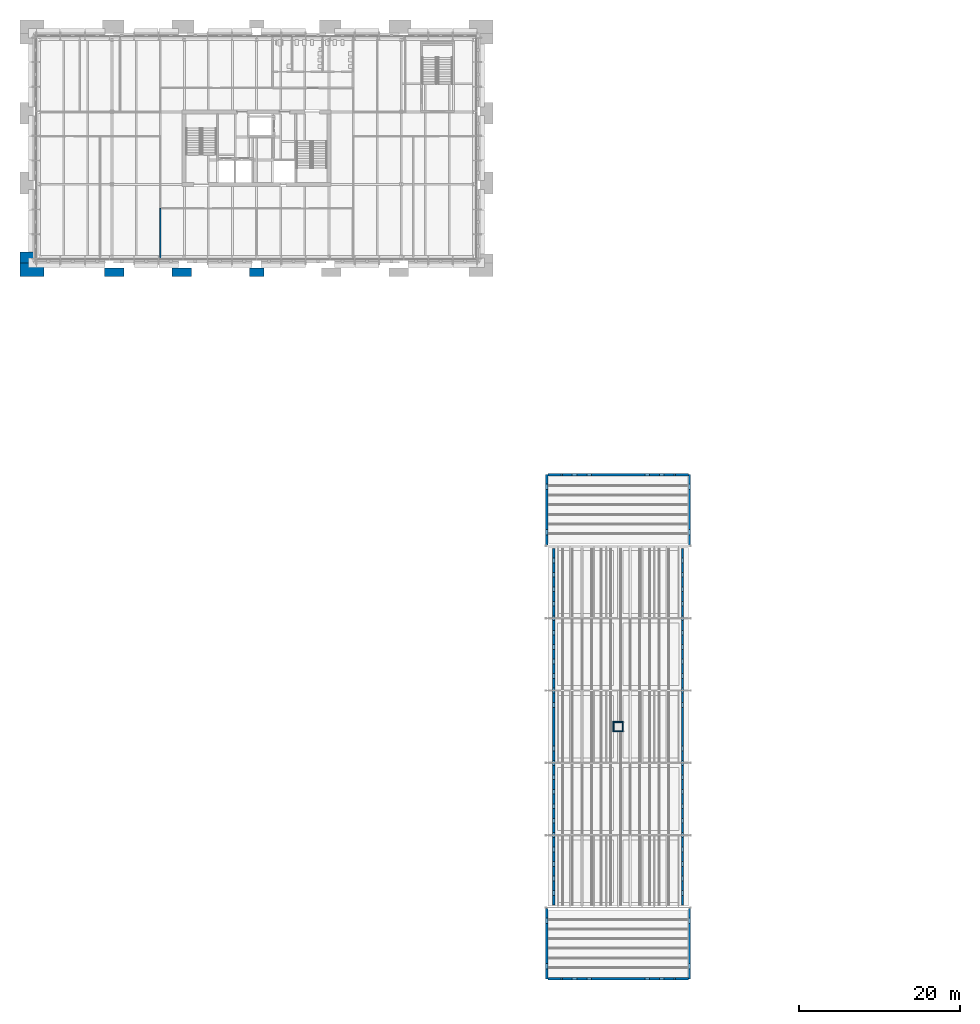
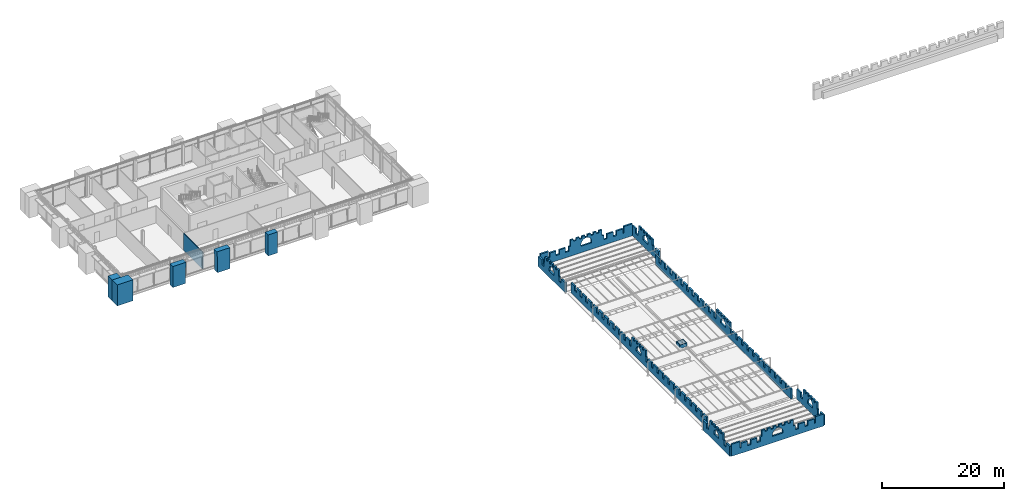
# One storey, part 19 of 37: 18 walls.
"""IFC4 building model written with IfcOpenShell, lengths in metres."""

from ifc_helpers import new_model, si_unit, direction, frame, frame_2d, origin, place, context, subcontext, project, spatial, polyline, rectangle, outline, extrude, material, layer, layer_set, type_object, element, save


model = new_model("IFC4")

# Units and contexts
model_context = context("Model", 3, precision=1e-05, world=origin(), true_north=direction((0.0, 1.0)))
body_context = subcontext(model_context, "Body", "Model", "MODEL_VIEW")
ifc_project = project(units=[si_unit("LENGTHUNIT", "METRE"), si_unit("AREAUNIT", "SQUARE_METRE"), si_unit("VOLUMEUNIT", "CUBIC_METRE"), si_unit("PLANEANGLEUNIT", "RADIAN"), si_unit("MASSUNIT", "GRAM", prefix="KILO")], contexts=[model_context])

# Site, building, storey
site_placement = place(None, origin())
site = spatial("IfcSite", under=ifc_project, at=site_placement, CompositionType="ELEMENT")
building_placement = place(site_placement, origin())
building = spatial("IfcBuilding", under=site, at=building_placement, Name="Baradari Gate Terminus", CompositionType="ELEMENT")
storey_placement = place(building_placement, frame((0.0, 0.0, 24.300048828125)))
storey = spatial("IfcBuildingStorey", under=building, at=storey_placement, Name="L05", CompositionType="ELEMENT", Elevation=24.300048828125)

# Walls
ifc_material_1 = material(Name="Concrete C32/40 precast", Category="concrete")
ifc_layer_1 = layer(ifc_material_1, 0.300048828125)
ifc_layer_set_1 = layer_set([ifc_layer_1], Name="Concrete C32/40 precast")
wall_type_1 = type_object("IfcWallType", Name="Parapet PW-7 300x3200 gate crown", PredefinedType="PARAPET", material=ifc_layer_set_1)
wall_1_placement = place(storey_placement, frame((72.27490234375, 89.875, 0.0), z_axis=(0.0, 0.0, 1.0), x_axis=(1.0, 0.0, 0.0)))
element("IfcWall", 1, at=wall_1_placement, inside=storey, type_object=wall_type_1, Name="GN roof parapet PR-GN1 1 1", PredefinedType="PARAPET", context=body_context, shape_type="SweptSolid", body=[
    extrude(outline(polyline([(5.416748046875, 2.0), (5.416748046875, 1.099853515625), (4.81103515625, 1.099853515625), (4.81103515625, 2.0), (3.611083984375, 2.0), (3.611083984375, 1.099853515625), (3.005615234375, 1.099853515625), (3.005615234375, 2.0), (1.8056640625, 2.0), (1.8056640625, 1.099853515625), (1.60009765625, 1.099853515625), (1.60009765625, 2.39990234375), (0.0, 2.39990234375), (0.0, 0.0), (17.449951171875, 0.0), (17.449951171875, 2.39990234375), (15.85009765625, 2.39990234375), (15.85009765625, 1.099853515625), (15.644287109375, 1.099853515625), (15.644287109375, 2.0), (14.4443359375, 2.0), (14.4443359375, 1.099853515625), (13.8388671875, 1.099853515625), (13.8388671875, 2.0), (12.638916015625, 2.0), (12.638916015625, 1.099853515625), (12.033203125, 1.099853515625), (12.033203125, 2.0), (11.72509765625, 2.0), (11.72509765625, 3.199951171875), (11.125, 3.199951171875), (11.125, 2.800048828125), (10.64501953125, 2.800048828125), (10.64501953125, 3.199951171875), (10.044921875, 3.199951171875), (10.044921875, 2.800048828125), (9.56494140625, 2.800048828125), (9.56494140625, 3.199951171875), (8.965087890625, 3.199951171875), (8.965087890625, 2.800048828125), (8.485107421875, 2.800048828125), (8.485107421875, 3.199951171875), (7.885009765625, 3.199951171875), (7.885009765625, 2.800048828125), (7.405029296875, 2.800048828125), (7.405029296875, 3.199951171875), (6.804931640625, 3.199951171875), (6.804931640625, 2.800048828125), (6.324951171875, 2.800048828125), (6.324951171875, 3.199951171875), (5.72509765625, 3.199951171875), (5.72509765625, 2.0), (5.416748046875, 2.0)]), holes=[polyline([(7.72509765625, 1.300048828125), (7.72509765625, 1.599853515625), (7.7333984375, 1.7353515625), (7.75830078125, 1.868896484375), (7.79931640625, 1.99853515625), (7.85595703125, 2.121826171875), (7.927490234375, 2.2373046875), (8.012451171875, 2.34326171875), (8.109619140625, 2.43798828125), (8.218017578125, 2.52001953125), (8.33544921875, 2.588134765625), (8.460205078125, 2.641357421875), (8.5908203125, 2.6787109375), (8.72509765625, 2.699951171875), (8.859130859375, 2.6787109375), (8.98974609375, 2.641357421875), (9.114501953125, 2.588134765625), (9.232177734375, 2.52001953125), (9.34033203125, 2.43798828125), (9.4375, 2.34326171875), (9.522705078125, 2.2373046875), (9.593994140625, 2.121826171875), (9.650634765625, 1.99853515625), (9.691650390625, 1.868896484375), (9.716796875, 1.7353515625), (9.72509765625, 1.599853515625), (9.72509765625, 1.300048828125), (7.72509765625, 1.300048828125)])]), frame((0.0, 0.14990234375, 0.0), z_axis=(0.0, -1.0, 0.0), x_axis=(1.0, 0.0, 0.0)), (0.0, 0.0, 1.0), 0.300048828125),
])
wall_2_placement = place(storey_placement, frame((72.125, 81.125, 0.0), z_axis=(0.0, 0.0, 1.0), x_axis=(0.0, 1.0, 0.0)))
element("IfcWall", 2, at=wall_2_placement, inside=storey, type_object=wall_type_1, Name="GN roof parapet PR-GN2 1 1", PredefinedType="PARAPET", context=body_context, shape_type="SweptSolid", body=[
    extrude(outline(polyline([(1.887451171875, 2.0), (1.887451171875, 1.099853515625), (1.199951171875, 1.099853515625), (1.199951171875, 2.0), (0.0, 2.0), (0.0, 0.0), (8.75, 0.0), (8.75, 2.0), (7.550048828125, 2.0), (7.550048828125, 1.099853515625), (6.862548828125, 1.099853515625), (6.862548828125, 2.0), (6.625, 2.0), (6.625, 3.199951171875), (6.02490234375, 3.199951171875), (6.02490234375, 2.800048828125), (5.64990234375, 2.800048828125), (5.64990234375, 3.199951171875), (5.050048828125, 3.199951171875), (5.050048828125, 2.800048828125), (4.675048828125, 2.800048828125), (4.675048828125, 3.199951171875), (4.074951171875, 3.199951171875), (4.074951171875, 2.800048828125), (3.699951171875, 2.800048828125), (3.699951171875, 3.199951171875), (3.10009765625, 3.199951171875), (3.10009765625, 2.800048828125), (2.72509765625, 2.800048828125), (2.72509765625, 3.199951171875), (2.125, 3.199951171875), (2.125, 2.0), (1.887451171875, 2.0)]), holes=[polyline([(3.574951171875, 1.300048828125), (3.574951171875, 1.599853515625), (3.58154296875, 1.71484375), (3.600830078125, 1.82861328125), (3.6328125, 1.939208984375), (3.677001953125, 2.045654296875), (3.73291015625, 2.146240234375), (3.799560546875, 2.240234375), (3.87646484375, 2.326171875), (3.962646484375, 2.402587890625), (4.056640625, 2.46923828125), (4.15771484375, 2.524658203125), (4.26416015625, 2.568359375), (4.375, 2.599853515625), (4.48583984375, 2.568359375), (4.59228515625, 2.524658203125), (4.693359375, 2.46923828125), (4.787353515625, 2.402587890625), (4.87353515625, 2.326171875), (4.950439453125, 2.240234375), (5.01708984375, 2.146240234375), (5.072998046875, 2.045654296875), (5.1171875, 1.939208984375), (5.149169921875, 1.82861328125), (5.16845703125, 1.71484375), (5.175048828125, 1.599853515625), (5.175048828125, 1.300048828125), (3.574951171875, 1.300048828125)])]), frame((0.0, 0.14990234375, 0.0), z_axis=(0.0, -1.0, 0.0), x_axis=(1.0, 0.0, 0.0)), (0.0, 0.0, 1.0), 0.300048828125),
])
wall_3_placement = place(storey_placement, frame((89.875, 81.125, 0.0), z_axis=(0.0, 0.0, 1.0), x_axis=(0.0, 1.0, 0.0)))
element("IfcWall", 3, at=wall_3_placement, inside=storey, type_object=wall_type_1, Name="GN roof parapet PR-GN3 1 1", PredefinedType="PARAPET", context=body_context, shape_type="SweptSolid", body=[
    extrude(outline(polyline([(1.887451171875, 2.0), (1.887451171875, 1.099853515625), (1.199951171875, 1.099853515625), (1.199951171875, 2.0), (0.0, 2.0), (0.0, 0.0), (8.75, 0.0), (8.75, 2.0), (7.550048828125, 2.0), (7.550048828125, 1.099853515625), (6.862548828125, 1.099853515625), (6.862548828125, 2.0), (6.625, 2.0), (6.625, 3.199951171875), (6.02490234375, 3.199951171875), (6.02490234375, 2.800048828125), (5.64990234375, 2.800048828125), (5.64990234375, 3.199951171875), (5.050048828125, 3.199951171875), (5.050048828125, 2.800048828125), (4.675048828125, 2.800048828125), (4.675048828125, 3.199951171875), (4.074951171875, 3.199951171875), (4.074951171875, 2.800048828125), (3.699951171875, 2.800048828125), (3.699951171875, 3.199951171875), (3.10009765625, 3.199951171875), (3.10009765625, 2.800048828125), (2.72509765625, 2.800048828125), (2.72509765625, 3.199951171875), (2.125, 3.199951171875), (2.125, 2.0), (1.887451171875, 2.0)]), holes=[polyline([(3.574951171875, 1.300048828125), (3.574951171875, 1.599853515625), (3.58154296875, 1.71484375), (3.600830078125, 1.82861328125), (3.6328125, 1.939208984375), (3.677001953125, 2.045654296875), (3.73291015625, 2.146240234375), (3.799560546875, 2.240234375), (3.87646484375, 2.326171875), (3.962646484375, 2.402587890625), (4.056640625, 2.46923828125), (4.15771484375, 2.524658203125), (4.26416015625, 2.568359375), (4.375, 2.599853515625), (4.48583984375, 2.568359375), (4.59228515625, 2.524658203125), (4.693359375, 2.46923828125), (4.787353515625, 2.402587890625), (4.87353515625, 2.326171875), (4.950439453125, 2.240234375), (5.01708984375, 2.146240234375), (5.072998046875, 2.045654296875), (5.1171875, 1.939208984375), (5.149169921875, 1.82861328125), (5.16845703125, 1.71484375), (5.175048828125, 1.599853515625), (5.175048828125, 1.300048828125), (3.574951171875, 1.300048828125)])]), frame((0.0, 0.14990234375, 0.0), z_axis=(0.0, -1.0, 0.0), x_axis=(1.0, 0.0, 0.0)), (0.0, 0.0, 1.0), 0.300048828125),
])
wall_4_placement = place(storey_placement, frame((72.27490234375, 27.125, 0.0), z_axis=(0.0, 0.0, 1.0), x_axis=(1.0, 0.0, 0.0)))
element("IfcWall", 4, at=wall_4_placement, inside=storey, type_object=wall_type_1, Name="GS roof parapet PR-GS1 1 1", PredefinedType="PARAPET", context=body_context, shape_type="SweptSolid", body=[
    extrude(outline(polyline([(5.416748046875, 2.0), (5.416748046875, 1.099853515625), (4.81103515625, 1.099853515625), (4.81103515625, 2.0), (3.611083984375, 2.0), (3.611083984375, 1.099853515625), (3.005615234375, 1.099853515625), (3.005615234375, 2.0), (1.8056640625, 2.0), (1.8056640625, 1.099853515625), (1.60009765625, 1.099853515625), (1.60009765625, 2.39990234375), (0.0, 2.39990234375), (0.0, 0.0), (17.449951171875, 0.0), (17.449951171875, 2.39990234375), (15.85009765625, 2.39990234375), (15.85009765625, 1.099853515625), (15.644287109375, 1.099853515625), (15.644287109375, 2.0), (14.4443359375, 2.0), (14.4443359375, 1.099853515625), (13.8388671875, 1.099853515625), (13.8388671875, 2.0), (12.638916015625, 2.0), (12.638916015625, 1.099853515625), (12.033203125, 1.099853515625), (12.033203125, 2.0), (11.72509765625, 2.0), (11.72509765625, 3.199951171875), (11.125, 3.199951171875), (11.125, 2.800048828125), (10.64501953125, 2.800048828125), (10.64501953125, 3.199951171875), (10.044921875, 3.199951171875), (10.044921875, 2.800048828125), (9.56494140625, 2.800048828125), (9.56494140625, 3.199951171875), (8.965087890625, 3.199951171875), (8.965087890625, 2.800048828125), (8.485107421875, 2.800048828125), (8.485107421875, 3.199951171875), (7.885009765625, 3.199951171875), (7.885009765625, 2.800048828125), (7.405029296875, 2.800048828125), (7.405029296875, 3.199951171875), (6.804931640625, 3.199951171875), (6.804931640625, 2.800048828125), (6.324951171875, 2.800048828125), (6.324951171875, 3.199951171875), (5.72509765625, 3.199951171875), (5.72509765625, 2.0), (5.416748046875, 2.0)]), holes=[polyline([(7.72509765625, 1.300048828125), (7.72509765625, 1.599853515625), (7.7333984375, 1.7353515625), (7.75830078125, 1.868896484375), (7.79931640625, 1.99853515625), (7.85595703125, 2.121826171875), (7.927490234375, 2.2373046875), (8.012451171875, 2.34326171875), (8.109619140625, 2.43798828125), (8.218017578125, 2.52001953125), (8.33544921875, 2.588134765625), (8.460205078125, 2.641357421875), (8.5908203125, 2.6787109375), (8.72509765625, 2.699951171875), (8.859130859375, 2.6787109375), (8.98974609375, 2.641357421875), (9.114501953125, 2.588134765625), (9.232177734375, 2.52001953125), (9.34033203125, 2.43798828125), (9.4375, 2.34326171875), (9.522705078125, 2.2373046875), (9.593994140625, 2.121826171875), (9.650634765625, 1.99853515625), (9.691650390625, 1.868896484375), (9.716796875, 1.7353515625), (9.72509765625, 1.599853515625), (9.72509765625, 1.300048828125), (7.72509765625, 1.300048828125)])]), frame((0.0, 0.14990234375, 0.0), z_axis=(0.0, -1.0, 0.0), x_axis=(1.0, 0.0, 0.0)), (0.0, 0.0, 1.0), 0.300048828125),
])
wall_5_placement = place(storey_placement, frame((72.125, 27.125, 0.0), z_axis=(0.0, 0.0, 1.0), x_axis=(0.0, 1.0, 0.0)))
element("IfcWall", 5, at=wall_5_placement, inside=storey, type_object=wall_type_1, Name="GS roof parapet PR-GS2 1 1", PredefinedType="PARAPET", context=body_context, shape_type="SweptSolid", body=[
    extrude(outline(polyline([(1.887451171875, 2.0), (1.887451171875, 1.099853515625), (1.199951171875, 1.099853515625), (1.199951171875, 2.0), (0.0, 2.0), (0.0, 0.0), (8.75, 0.0), (8.75, 2.0), (7.550048828125, 2.0), (7.550048828125, 1.099853515625), (6.862548828125, 1.099853515625), (6.862548828125, 2.0), (6.625, 2.0), (6.625, 3.199951171875), (6.02490234375, 3.199951171875), (6.02490234375, 2.800048828125), (5.64990234375, 2.800048828125), (5.64990234375, 3.199951171875), (5.050048828125, 3.199951171875), (5.050048828125, 2.800048828125), (4.675048828125, 2.800048828125), (4.675048828125, 3.199951171875), (4.074951171875, 3.199951171875), (4.074951171875, 2.800048828125), (3.699951171875, 2.800048828125), (3.699951171875, 3.199951171875), (3.10009765625, 3.199951171875), (3.10009765625, 2.800048828125), (2.72509765625, 2.800048828125), (2.72509765625, 3.199951171875), (2.125, 3.199951171875), (2.125, 2.0), (1.887451171875, 2.0)]), holes=[polyline([(3.574951171875, 1.300048828125), (3.574951171875, 1.599853515625), (3.58154296875, 1.71484375), (3.600830078125, 1.82861328125), (3.6328125, 1.939208984375), (3.677001953125, 2.045654296875), (3.73291015625, 2.146240234375), (3.799560546875, 2.240234375), (3.87646484375, 2.326171875), (3.962646484375, 2.402587890625), (4.056640625, 2.46923828125), (4.15771484375, 2.524658203125), (4.26416015625, 2.568359375), (4.375, 2.599853515625), (4.48583984375, 2.568359375), (4.59228515625, 2.524658203125), (4.693359375, 2.46923828125), (4.787353515625, 2.402587890625), (4.87353515625, 2.326171875), (4.950439453125, 2.240234375), (5.01708984375, 2.146240234375), (5.072998046875, 2.045654296875), (5.1171875, 1.939208984375), (5.149169921875, 1.82861328125), (5.16845703125, 1.71484375), (5.175048828125, 1.599853515625), (5.175048828125, 1.300048828125), (3.574951171875, 1.300048828125)])]), frame((0.0, 0.14990234375, 0.0), z_axis=(0.0, -1.0, 0.0), x_axis=(1.0, 0.0, 0.0)), (0.0, 0.0, 1.0), 0.300048828125),
])
wall_6_placement = place(storey_placement, frame((89.875, 27.125, 0.0), z_axis=(0.0, 0.0, 1.0), x_axis=(0.0, 1.0, 0.0)))
element("IfcWall", 6, at=wall_6_placement, inside=storey, type_object=wall_type_1, Name="GS roof parapet PR-GS3 1 1", PredefinedType="PARAPET", context=body_context, shape_type="SweptSolid", body=[
    extrude(outline(polyline([(1.887451171875, 2.0), (1.887451171875, 1.099853515625), (1.199951171875, 1.099853515625), (1.199951171875, 2.0), (0.0, 2.0), (0.0, 0.0), (8.75, 0.0), (8.75, 2.0), (7.550048828125, 2.0), (7.550048828125, 1.099853515625), (6.862548828125, 1.099853515625), (6.862548828125, 2.0), (6.625, 2.0), (6.625, 3.199951171875), (6.02490234375, 3.199951171875), (6.02490234375, 2.800048828125), (5.64990234375, 2.800048828125), (5.64990234375, 3.199951171875), (5.050048828125, 3.199951171875), (5.050048828125, 2.800048828125), (4.675048828125, 2.800048828125), (4.675048828125, 3.199951171875), (4.074951171875, 3.199951171875), (4.074951171875, 2.800048828125), (3.699951171875, 2.800048828125), (3.699951171875, 3.199951171875), (3.10009765625, 3.199951171875), (3.10009765625, 2.800048828125), (2.72509765625, 2.800048828125), (2.72509765625, 3.199951171875), (2.125, 3.199951171875), (2.125, 2.0), (1.887451171875, 2.0)]), holes=[polyline([(3.574951171875, 1.300048828125), (3.574951171875, 1.599853515625), (3.58154296875, 1.71484375), (3.600830078125, 1.82861328125), (3.6328125, 1.939208984375), (3.677001953125, 2.045654296875), (3.73291015625, 2.146240234375), (3.799560546875, 2.240234375), (3.87646484375, 2.326171875), (3.962646484375, 2.402587890625), (4.056640625, 2.46923828125), (4.15771484375, 2.524658203125), (4.26416015625, 2.568359375), (4.375, 2.599853515625), (4.48583984375, 2.568359375), (4.59228515625, 2.524658203125), (4.693359375, 2.46923828125), (4.787353515625, 2.402587890625), (4.87353515625, 2.326171875), (4.950439453125, 2.240234375), (5.01708984375, 2.146240234375), (5.072998046875, 2.045654296875), (5.1171875, 1.939208984375), (5.149169921875, 1.82861328125), (5.16845703125, 1.71484375), (5.175048828125, 1.599853515625), (5.175048828125, 1.300048828125), (3.574951171875, 1.300048828125)])]), frame((0.0, 0.14990234375, 0.0), z_axis=(0.0, -1.0, 0.0), x_axis=(1.0, 0.0, 0.0)), (0.0, 0.0, 1.0), 0.300048828125),
])
wall_7_placement = place(storey_placement, frame((73.0, 36.300048828125, 0.0), z_axis=(0.0, 0.0, 1.0), x_axis=(0.0, 1.0, 0.0)))
element("IfcWall", 7, at=wall_7_placement, inside=storey, type_object=wall_type_1, Name="Gate roof parapet PR-G1 1 1", PredefinedType="PARAPET", context=body_context, shape_type="SweptSolid", body=[
    extrude(outline(polyline([(12.0, 2.0), (10.800048828125, 2.0), (10.800048828125, 1.099853515625), (10.199951171875, 1.099853515625), (10.199951171875, 2.0), (9.0, 2.0), (9.0, 1.099853515625), (8.39990234375, 1.099853515625), (8.39990234375, 2.0), (7.199951171875, 2.0), (7.199951171875, 1.099853515625), (6.60009765625, 1.099853515625), (6.60009765625, 2.0), (5.39990234375, 2.0), (5.39990234375, 1.099853515625), (4.800048828125, 1.099853515625), (4.800048828125, 2.0), (3.60009765625, 2.0), (3.60009765625, 1.099853515625), (3.0, 1.099853515625), (3.0, 2.0), (1.800048828125, 2.0), (1.800048828125, 1.099853515625), (1.199951171875, 1.099853515625), (1.199951171875, 2.0), (0.0, 2.0), (0.0, 0.0), (44.39990234375, 0.0), (44.39990234375, 2.0), (43.199951171875, 2.0), (43.199951171875, 1.099853515625), (42.60009765625, 1.099853515625), (42.60009765625, 2.0), (41.39990234375, 2.0), (41.39990234375, 1.099853515625), (40.800048828125, 1.099853515625), (40.800048828125, 2.0), (39.60009765625, 2.0), (39.60009765625, 1.099853515625), (39.0, 1.099853515625), (39.0, 2.0), (37.800048828125, 2.0), (37.800048828125, 1.099853515625), (37.199951171875, 1.099853515625), (37.199951171875, 2.0), (36.0, 2.0), (36.0, 1.099853515625), (35.39990234375, 1.099853515625), (35.39990234375, 2.0), (34.199951171875, 2.0), (34.199951171875, 1.099853515625), (33.60009765625, 1.099853515625), (33.60009765625, 2.0), (32.39990234375, 2.0), (32.39990234375, 1.099853515625), (31.800048828125, 1.099853515625), (31.800048828125, 2.0), (30.60009765625, 2.0), (30.60009765625, 1.099853515625), (30.0, 1.099853515625), (30.0, 2.0), (28.800048828125, 2.0), (28.800048828125, 1.099853515625), (28.199951171875, 1.099853515625), (28.199951171875, 2.0), (27.0, 2.0), (27.0, 1.099853515625), (26.39990234375, 1.099853515625), (26.39990234375, 2.0), (25.199951171875, 2.0), (25.199951171875, 1.099853515625), (24.60009765625, 1.099853515625), (24.60009765625, 2.0), (24.449951171875, 2.0), (24.449951171875, 3.199951171875), (23.85009765625, 3.199951171875), (23.85009765625, 2.800048828125), (23.47509765625, 2.800048828125), (23.47509765625, 3.199951171875), (22.875, 3.199951171875), (22.875, 2.800048828125), (22.5, 2.800048828125), (22.5, 3.199951171875), (21.89990234375, 3.199951171875), (21.89990234375, 2.800048828125), (21.52490234375, 2.800048828125), (21.52490234375, 3.199951171875), (20.925048828125, 3.199951171875), (20.925048828125, 2.800048828125), (20.550048828125, 2.800048828125), (20.550048828125, 3.199951171875), (19.949951171875, 3.199951171875), (19.949951171875, 2.0), (19.800048828125, 2.0), (19.800048828125, 1.099853515625), (19.199951171875, 1.099853515625), (19.199951171875, 2.0), (18.0, 2.0), (18.0, 1.099853515625), (17.39990234375, 1.099853515625), (17.39990234375, 2.0), (16.199951171875, 2.0), (16.199951171875, 1.099853515625), (15.60009765625, 1.099853515625), (15.60009765625, 2.0), (14.39990234375, 2.0), (14.39990234375, 1.099853515625), (13.800048828125, 1.099853515625), (13.800048828125, 2.0), (12.60009765625, 2.0), (12.60009765625, 1.099853515625), (12.0, 1.099853515625), (12.0, 2.0)]), holes=[polyline([(21.39990234375, 1.300048828125), (21.39990234375, 1.599853515625), (21.406494140625, 1.71484375), (21.42578125, 1.82861328125), (21.457763671875, 1.939208984375), (21.501953125, 2.045654296875), (21.557861328125, 2.146240234375), (21.62451171875, 2.240234375), (21.701416015625, 2.326171875), (21.78759765625, 2.402587890625), (21.881591796875, 2.46923828125), (21.982666015625, 2.524658203125), (22.089111328125, 2.568359375), (22.199951171875, 2.599853515625), (22.310791015625, 2.568359375), (22.41748046875, 2.524658203125), (22.518310546875, 2.46923828125), (22.6123046875, 2.402587890625), (22.698486328125, 2.326171875), (22.775390625, 2.240234375), (22.84228515625, 2.146240234375), (22.89794921875, 2.045654296875), (22.942138671875, 1.939208984375), (22.97412109375, 1.82861328125), (22.993408203125, 1.71484375), (23.0, 1.599853515625), (23.0, 1.300048828125), (21.39990234375, 1.300048828125)])]), frame((0.0, 0.14990234375, 0.0), z_axis=(0.0, -1.0, 0.0), x_axis=(1.0, 0.0, 0.0)), (0.0, 0.0, 1.0), 0.300048828125),
])
wall_8_placement = place(storey_placement, frame((89.0, 36.300048828125, 0.0), z_axis=(0.0, 0.0, 1.0), x_axis=(0.0, 1.0, 0.0)))
element("IfcWall", 8, at=wall_8_placement, inside=storey, type_object=wall_type_1, Name="Gate roof parapet PR-G2 1 1", PredefinedType="PARAPET", context=body_context, shape_type="SweptSolid", body=[
    extrude(outline(polyline([(12.0, 2.0), (10.800048828125, 2.0), (10.800048828125, 1.099853515625), (10.199951171875, 1.099853515625), (10.199951171875, 2.0), (9.0, 2.0), (9.0, 1.099853515625), (8.39990234375, 1.099853515625), (8.39990234375, 2.0), (7.199951171875, 2.0), (7.199951171875, 1.099853515625), (6.60009765625, 1.099853515625), (6.60009765625, 2.0), (5.39990234375, 2.0), (5.39990234375, 1.099853515625), (4.800048828125, 1.099853515625), (4.800048828125, 2.0), (3.60009765625, 2.0), (3.60009765625, 1.099853515625), (3.0, 1.099853515625), (3.0, 2.0), (1.800048828125, 2.0), (1.800048828125, 1.099853515625), (1.199951171875, 1.099853515625), (1.199951171875, 2.0), (0.0, 2.0), (0.0, 0.0), (44.39990234375, 0.0), (44.39990234375, 2.0), (43.199951171875, 2.0), (43.199951171875, 1.099853515625), (42.60009765625, 1.099853515625), (42.60009765625, 2.0), (41.39990234375, 2.0), (41.39990234375, 1.099853515625), (40.800048828125, 1.099853515625), (40.800048828125, 2.0), (39.60009765625, 2.0), (39.60009765625, 1.099853515625), (39.0, 1.099853515625), (39.0, 2.0), (37.800048828125, 2.0), (37.800048828125, 1.099853515625), (37.199951171875, 1.099853515625), (37.199951171875, 2.0), (36.0, 2.0), (36.0, 1.099853515625), (35.39990234375, 1.099853515625), (35.39990234375, 2.0), (34.199951171875, 2.0), (34.199951171875, 1.099853515625), (33.60009765625, 1.099853515625), (33.60009765625, 2.0), (32.39990234375, 2.0), (32.39990234375, 1.099853515625), (31.800048828125, 1.099853515625), (31.800048828125, 2.0), (30.60009765625, 2.0), (30.60009765625, 1.099853515625), (30.0, 1.099853515625), (30.0, 2.0), (28.800048828125, 2.0), (28.800048828125, 1.099853515625), (28.199951171875, 1.099853515625), (28.199951171875, 2.0), (27.0, 2.0), (27.0, 1.099853515625), (26.39990234375, 1.099853515625), (26.39990234375, 2.0), (25.199951171875, 2.0), (25.199951171875, 1.099853515625), (24.60009765625, 1.099853515625), (24.60009765625, 2.0), (24.449951171875, 2.0), (24.449951171875, 3.199951171875), (23.85009765625, 3.199951171875), (23.85009765625, 2.800048828125), (23.47509765625, 2.800048828125), (23.47509765625, 3.199951171875), (22.875, 3.199951171875), (22.875, 2.800048828125), (22.5, 2.800048828125), (22.5, 3.199951171875), (21.89990234375, 3.199951171875), (21.89990234375, 2.800048828125), (21.52490234375, 2.800048828125), (21.52490234375, 3.199951171875), (20.925048828125, 3.199951171875), (20.925048828125, 2.800048828125), (20.550048828125, 2.800048828125), (20.550048828125, 3.199951171875), (19.949951171875, 3.199951171875), (19.949951171875, 2.0), (19.800048828125, 2.0), (19.800048828125, 1.099853515625), (19.199951171875, 1.099853515625), (19.199951171875, 2.0), (18.0, 2.0), (18.0, 1.099853515625), (17.39990234375, 1.099853515625), (17.39990234375, 2.0), (16.199951171875, 2.0), (16.199951171875, 1.099853515625), (15.60009765625, 1.099853515625), (15.60009765625, 2.0), (14.39990234375, 2.0), (14.39990234375, 1.099853515625), (13.800048828125, 1.099853515625), (13.800048828125, 2.0), (12.60009765625, 2.0), (12.60009765625, 1.099853515625), (12.0, 1.099853515625), (12.0, 2.0)]), holes=[polyline([(21.39990234375, 1.300048828125), (21.39990234375, 1.599853515625), (21.406494140625, 1.71484375), (21.42578125, 1.82861328125), (21.457763671875, 1.939208984375), (21.501953125, 2.045654296875), (21.557861328125, 2.146240234375), (21.62451171875, 2.240234375), (21.701416015625, 2.326171875), (21.78759765625, 2.402587890625), (21.881591796875, 2.46923828125), (21.982666015625, 2.524658203125), (22.089111328125, 2.568359375), (22.199951171875, 2.599853515625), (22.310791015625, 2.568359375), (22.41748046875, 2.524658203125), (22.518310546875, 2.46923828125), (22.6123046875, 2.402587890625), (22.698486328125, 2.326171875), (22.775390625, 2.240234375), (22.84228515625, 2.146240234375), (22.89794921875, 2.045654296875), (22.942138671875, 1.939208984375), (22.97412109375, 1.82861328125), (22.993408203125, 1.71484375), (23.0, 1.599853515625), (23.0, 1.300048828125), (21.39990234375, 1.300048828125)])]), frame((0.0, 0.14990234375, 0.0), z_axis=(0.0, -1.0, 0.0), x_axis=(1.0, 0.0, 0.0)), (0.0, 0.0, 1.0), 0.300048828125),
])
ifc_material_2 = material(Name="Blockwork wall, plastered", Category="masonry")
ifc_layer_2 = layer(ifc_material_2, 0.14990234375)
ifc_layer_set_2 = layer_set([ifc_layer_2], Name="Blockwork wall, plastered")
wall_type_2 = type_object("IfcWallType", Name="Partition PT-2 150 EI 60", PredefinedType="PARTITIONING", material=ifc_layer_set_2)
wall_9_placement = place(storey_placement, frame((24.0, 123.0, 0.0), z_axis=(0.0, 0.0, 1.0), x_axis=(0.0, -1.0, 0.0)))
element("IfcWall", 9, at=wall_9_placement, inside=storey, type_object=wall_type_2, Name="PT-2 partition Records Room / Accounts Office", PredefinedType="PARTITIONING", context=body_context, shape_type="SweptSolid", body=[
    extrude(rectangle(XDim=6.294921875, YDim=0.14990234375, at=frame_2d((3.1474609375, 0.0))), origin(), (0.0, 0.0, 1.0), 3.3818359375),
])
ifc_material_3 = material(Name="Concrete C25/30", Category="concrete")
ifc_layer_3 = layer(ifc_material_3, 0.14990234375)
ifc_layer_set_3 = layer_set([ifc_layer_3], Name="Concrete C25/30")
wall_type_3 = type_object("IfcWallType", Name="Roof hatch kerb HK-1 150", PredefinedType="PARAPET", material=ifc_layer_set_3)
wall_10_placement = place(storey_placement, frame((80.35009765625, 57.925048828125, 0.0), z_axis=(0.0, 0.0, 1.0), x_axis=(1.0, 0.0, 0.0)))
element("IfcWall", 10, at=wall_10_placement, inside=storey, type_object=wall_type_3, Name="Roof hatch kerb wall RH4", PredefinedType="PARAPET", context=body_context, shape_type="SweptSolid", body=[
    extrude(rectangle(XDim=1.2998046875, YDim=0.14990234375, at=frame_2d((0.64990234375, 0.0))), origin(), (0.0, 0.0, 1.0), 0.699951171875),
])
wall_11_placement = place(storey_placement, frame((81.574951171875, 58.0, 0.0), z_axis=(0.0, 0.0, 1.0), x_axis=(0.0, 1.0, 0.0)))
element("IfcWall", 11, at=wall_11_placement, inside=storey, type_object=wall_type_3, Name="Roof hatch kerb wall RH4", PredefinedType="PARAPET", context=body_context, shape_type="SweptSolid", body=[
    extrude(rectangle(XDim=1.0, YDim=0.14990234375, at=frame_2d((0.5, 0.0))), origin(), (0.0, 0.0, 1.0), 0.699951171875),
])
wall_12_placement = place(storey_placement, frame((81.64990234375, 59.074951171875, 0.0), z_axis=(0.0, 0.0, 1.0), x_axis=(-1.0, 0.0, 0.0)))
element("IfcWall", 12, at=wall_12_placement, inside=storey, type_object=wall_type_3, Name="Roof hatch kerb wall RH4", PredefinedType="PARAPET", context=body_context, shape_type="SweptSolid", body=[
    extrude(rectangle(XDim=1.2998046875, YDim=0.14990234375, at=frame_2d((0.64990234375, 0.0))), origin(), (0.0, 0.0, 1.0), 0.699951171875),
])
wall_13_placement = place(storey_placement, frame((80.425048828125, 59.0, 0.0), z_axis=(0.0, 0.0, 1.0), x_axis=(0.0, -1.0, 0.0)))
element("IfcWall", 13, at=wall_13_placement, inside=storey, type_object=wall_type_3, Name="Roof hatch kerb wall RH4", PredefinedType="PARAPET", context=body_context, shape_type="SweptSolid", body=[
    extrude(rectangle(XDim=1.0, YDim=0.14990234375, at=frame_2d((0.5, 0.0))), origin(), (0.0, 0.0, 1.0), 0.699951171875),
])
ifc_material_4 = material(Name="Concrete C40/50 precast", Category="concrete")
ifc_layer_4 = layer(ifc_material_4, 1.55)
ifc_material_5 = material(Name="Sandstone cladding", Category="masonry")
ifc_layer_5 = layer(ifc_material_5, 0.1)
ifc_layer_set_4 = layer_set([ifc_layer_4, ifc_layer_5], Name="Concrete C40/50 precast")
wall_type_4 = type_object("IfcWallType", Name="Sandstone-faced precast frame pier WQ-4 1650", PredefinedType="SOLIDWALL", material=ifc_layer_set_4)
wall_14_placement = place(storey_placement, frame((6.554931640625, 115.3798828125, 0.0), z_axis=(0.0, 0.0, 1.0), x_axis=(1.0, 0.0, 0.0)))
element("IfcWall", 14, at=wall_14_placement, inside=storey, type_object=wall_type_4, Name="Corner pilaster SW leg A L05", PredefinedType="SOLIDWALL", context=body_context, shape_type="SweptSolid", body=[
    extrude(rectangle(XDim=3.0, YDim=1.64990234375, at=frame_2d((1.5, 0.0))), origin(), (0.0, 0.0, 1.0), 4.199951171875),
])
wall_15_placement = place(storey_placement, frame((7.3798828125, 116.205078125, 0.0), z_axis=(0.0, 0.0, 1.0), x_axis=(0.0, 1.0, 0.0)))
element("IfcWall", 15, at=wall_15_placement, inside=storey, type_object=wall_type_4, Name="Corner pilaster SW leg B L05", PredefinedType="SOLIDWALL", context=body_context, shape_type="SweptSolid", body=[
    extrude(rectangle(XDim=1.349853515625, YDim=1.64990234375, at=frame_2d((0.6748046875, 0.0))), origin(), (0.0, 0.0, 1.0), 4.199951171875),
])
ifc_layer_6 = layer(ifc_material_4, 0.9)
ifc_layer_7 = layer(ifc_material_5, 0.1)
ifc_layer_set_5 = layer_set([ifc_layer_6, ifc_layer_7], Name="Concrete C40/50 precast")
wall_type_5 = type_object("IfcWallType", Name="Sandstone-faced precast grid pier WQ-6 1000", PredefinedType="SOLIDWALL", material=ifc_layer_set_5)
wall_16_placement = place(storey_placement, frame((17.10009765625, 115.054931640625, 0.0), z_axis=(0.0, 0.0, 1.0), x_axis=(1.0, 0.0, 0.0)))
element("IfcWall", 16, at=wall_16_placement, inside=storey, type_object=wall_type_5, Name="Frame portal wall S face bay 1 1", PredefinedType="SOLIDWALL", context=body_context, shape_type="SweptSolid", body=[
    extrude(outline(polyline([(2.39990234375, 0.0), (2.39990234375, 3.0), (2.4951171875, 4.199951171875), (0.0, 4.199951171875), (0.0, 0.0), (2.39990234375, 0.0)])), frame((0.0, 0.5, 0.0), z_axis=(0.0, -1.0, 0.0), x_axis=(1.0, 0.0, 0.0)), (0.0, 0.0, 1.0), 1.0),
])
wall_17_placement = place(storey_placement, frame((25.40478515625, 115.054931640625, 0.0), z_axis=(0.0, 0.0, 1.0), x_axis=(1.0, 0.0, 0.0)))
element("IfcWall", 17, at=wall_17_placement, inside=storey, type_object=wall_type_5, Name="Frame portal wall S face bay 1 2", PredefinedType="SOLIDWALL", context=body_context, shape_type="SweptSolid", body=[
    extrude(outline(polyline([(0.0, 4.199951171875), (0.09521484375, 3.0), (0.09521484375, 0.0), (2.4951171875, 0.0), (2.4951171875, 4.199951171875), (0.0, 4.199951171875)])), frame((0.0, 0.5, 0.0), z_axis=(0.0, -1.0, 0.0), x_axis=(1.0, 0.0, 0.0)), (0.0, 0.0, 1.0), 1.0),
])
wall_18_placement = place(storey_placement, frame((35.10009765625, 115.054931640625, 0.0), z_axis=(0.0, 0.0, 1.0), x_axis=(1.0, 0.0, 0.0)))
element("IfcWall", 18, at=wall_18_placement, inside=storey, type_object=wall_type_5, Name="Grid pier S face grid 36 L05", PredefinedType="SOLIDWALL", context=body_context, shape_type="SweptSolid", body=[
    extrude(rectangle(XDim=1.7998046875, YDim=1.0, at=frame_2d((0.89990234375, 0.0))), origin(), (0.0, 0.0, 1.0), 4.199951171875),
])

save(model, "model.ifc")
